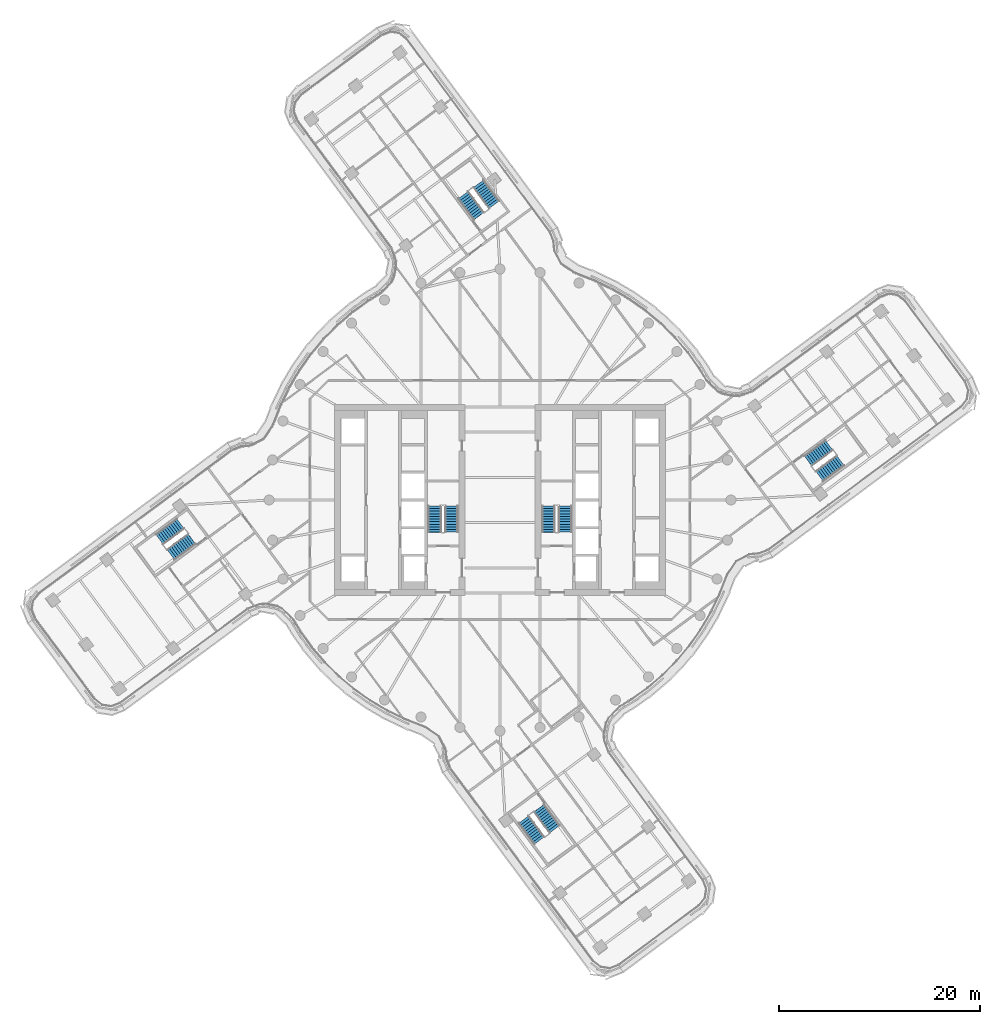
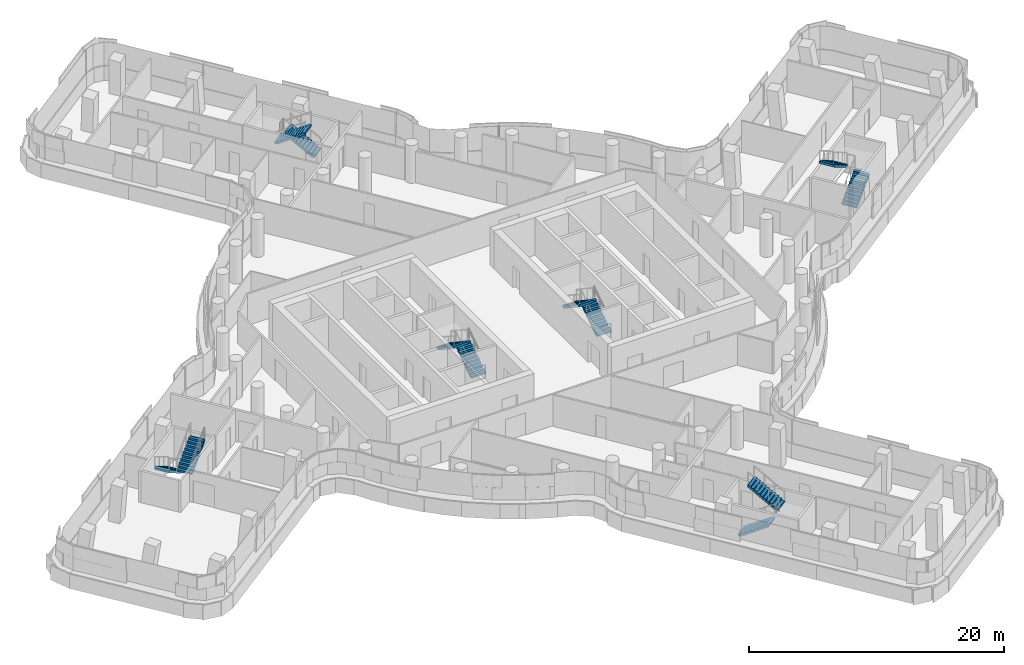
# One storey, part 25 of 32: 12 stair flights, 6 elements without a shape of their own.
"""IFC4 building model written with IfcOpenShell, lengths in metres."""

from ifc_helpers import new_model, si_unit, direction, frame, origin, place, context, subcontext, project, spatial, polyline, outline, extrude, material, type_object, element, aggregate, save


model = new_model("IFC4")

# Units and contexts
model_context = context("Model", 3, precision=1e-05, world=origin(), true_north=direction((0.0, 1.0)))
body_context = subcontext(model_context, "Body", "Model", "MODEL_VIEW")
ifc_project = project(units=[si_unit("LENGTHUNIT", "METRE"), si_unit("AREAUNIT", "SQUARE_METRE"), si_unit("VOLUMEUNIT", "CUBIC_METRE"), si_unit("PLANEANGLEUNIT", "RADIAN"), si_unit("MASSUNIT", "GRAM", prefix="KILO")], contexts=[model_context])

# Site, building, storey
site_placement = place(None, origin())
site = spatial("IfcSite", under=ifc_project, at=site_placement, CompositionType="ELEMENT")
building_placement = place(site_placement, origin())
building = spatial("IfcBuilding", under=site, at=building_placement, Name="Tamarind Cross Interchange Tower", CompositionType="ELEMENT")
storey_placement = place(building_placement, frame((0.0, 0.0, 166.75)))
storey = spatial("IfcBuildingStorey", under=building, at=storey_placement, Name="L41", CompositionType="ELEMENT", Elevation=166.75)

# Stair, stair flights
ifc_material_1 = material(Name="Exit stair")
stair_type = type_object("IfcStairType", Name="Exit stair", PredefinedType="HALF_TURN_STAIR", material=ifc_material_1)
stair_1_placement = place(storey_placement, origin())
stair_1 = element("IfcStair", 1, at=stair_1_placement, inside=storey, type_object=stair_type, Name="L41 exit stair ST1", PredefinedType="HALF_TURN_STAIR")
ifc_material_2 = material(Name="Exit stair flight")
stair_flight_type = type_object("IfcStairFlightType", Name="Exit stair flight", PredefinedType="STRAIGHT", material=ifc_material_2)
stair_flight_1_placement = place(storey_placement, frame((-4.85009765625, -3.199951171875, 0.0), z_axis=(0.0, 0.0, 1.0), x_axis=(0.0, 1.0, 0.0)))
stair_flight_1 = element("IfcStairFlight", 2, at=stair_flight_1_placement, type_object=stair_flight_type, Name="ST1 flight 1", NumberOfRisers=11, NumberOfTreads=10, PredefinedType="STRAIGHT", RiserHeight=0.170454545, TreadLength=0.26, context=body_context, shape_type="SweptSolid", body=[
    extrude(outline(polyline([(0.0, 0.0), (0.0, 0.17041015625), (0.260009765625, 0.17041015625), (0.260009765625, 0.3408203125), (0.52001953125, 0.3408203125), (0.52001953125, 0.511474609375), (0.780029296875, 0.511474609375), (0.780029296875, 0.681884765625), (1.0400390625, 0.681884765625), (1.0400390625, 0.852294921875), (1.300048828125, 0.852294921875), (1.300048828125, 1.022705078125), (1.56005859375, 1.022705078125), (1.56005859375, 1.193115234375), (1.820068359375, 1.193115234375), (1.820068359375, 1.363525390625), (2.080078125, 1.363525390625), (2.080078125, 1.5341796875), (2.340087890625, 1.5341796875), (2.340087890625, 1.70458984375), (2.60009765625, 1.70458984375), (2.60009765625, 1.875), (2.60009765625, 1.525390625), (0.2734375, 0.0), (0.0, 0.0)])), frame((0.0, 0.64990234375, 0.0), z_axis=(0.0, -1.0, 0.0), x_axis=(1.0, 0.0, 0.0)), (0.0, 0.0, 1.0), 1.300048828125),
])
stair_flight_2_placement = place(storey_placement, frame((-6.5, -0.60009765625, 1.875), z_axis=(0.0, 0.0, 1.0), x_axis=(0.0, -1.0, 0.0)))
stair_flight_2 = element("IfcStairFlight", 3, at=stair_flight_2_placement, type_object=stair_flight_type, Name="ST1 flight 2", NumberOfRisers=11, NumberOfTreads=10, PredefinedType="STRAIGHT", RiserHeight=0.170454545, TreadLength=0.26, context=body_context, shape_type="SweptSolid", body=[
    extrude(outline(polyline([(0.0, 0.0), (0.0, 0.17041015625), (0.260009765625, 0.17041015625), (0.260009765625, 0.3408203125), (0.52001953125, 0.3408203125), (0.52001953125, 0.511474609375), (0.780029296875, 0.511474609375), (0.780029296875, 0.681884765625), (1.0400390625, 0.681884765625), (1.0400390625, 0.852294921875), (1.300048828125, 0.852294921875), (1.300048828125, 1.022705078125), (1.56005859375, 1.022705078125), (1.56005859375, 1.193115234375), (1.820068359375, 1.193115234375), (1.820068359375, 1.363525390625), (2.080078125, 1.363525390625), (2.080078125, 1.5341796875), (2.340087890625, 1.5341796875), (2.340087890625, 1.70458984375), (2.60009765625, 1.70458984375), (2.60009765625, 1.7548828125), (2.612060546875, 1.7548828125), (2.612060546875, 1.533203125), (0.2734375, 0.0), (0.0, 0.0)])), frame((0.0, 0.64990234375, 0.0), z_axis=(0.0, -1.0, 0.0), x_axis=(1.0, 0.0, 0.0)), (0.0, 0.0, 1.0), 1.300048828125),
])
aggregate(stair_1, [stair_flight_1, stair_flight_2])

stair_2_placement = place(storey_placement, origin())
stair_2 = element("IfcStair", 4, at=stair_2_placement, inside=storey, type_object=stair_type, Name="L41 exit stair ST2", PredefinedType="HALF_TURN_STAIR")
stair_flight_3_placement = place(storey_placement, frame((6.5, -3.199951171875, 0.0), z_axis=(0.0, 0.0, 1.0), x_axis=(0.0, 1.0, 0.0)))
stair_flight_3 = element("IfcStairFlight", 5, at=stair_flight_3_placement, type_object=stair_flight_type, Name="ST2 flight 1", NumberOfRisers=11, NumberOfTreads=10, PredefinedType="STRAIGHT", RiserHeight=0.170454545, TreadLength=0.26, context=body_context, shape_type="SweptSolid", body=[
    extrude(outline(polyline([(0.0, 0.0), (0.0, 0.17041015625), (0.260009765625, 0.17041015625), (0.260009765625, 0.3408203125), (0.52001953125, 0.3408203125), (0.52001953125, 0.511474609375), (0.780029296875, 0.511474609375), (0.780029296875, 0.681884765625), (1.0400390625, 0.681884765625), (1.0400390625, 0.852294921875), (1.300048828125, 0.852294921875), (1.300048828125, 1.022705078125), (1.56005859375, 1.022705078125), (1.56005859375, 1.193115234375), (1.820068359375, 1.193115234375), (1.820068359375, 1.363525390625), (2.080078125, 1.363525390625), (2.080078125, 1.5341796875), (2.340087890625, 1.5341796875), (2.340087890625, 1.70458984375), (2.60009765625, 1.70458984375), (2.60009765625, 1.875), (2.60009765625, 1.525390625), (0.2734375, 0.0), (0.0, 0.0)])), frame((0.0, 0.64990234375, 0.0), z_axis=(0.0, -1.0, 0.0), x_axis=(1.0, 0.0, 0.0)), (0.0, 0.0, 1.0), 1.300048828125),
])
stair_flight_4_placement = place(storey_placement, frame((4.85009765625, -0.60009765625, 1.875), z_axis=(0.0, 0.0, 1.0), x_axis=(0.0, -1.0, 0.0)))
stair_flight_4 = element("IfcStairFlight", 6, at=stair_flight_4_placement, type_object=stair_flight_type, Name="ST2 flight 2", NumberOfRisers=11, NumberOfTreads=10, PredefinedType="STRAIGHT", RiserHeight=0.170454545, TreadLength=0.26, context=body_context, shape_type="SweptSolid", body=[
    extrude(outline(polyline([(0.0, 0.0), (0.0, 0.17041015625), (0.260009765625, 0.17041015625), (0.260009765625, 0.3408203125), (0.52001953125, 0.3408203125), (0.52001953125, 0.511474609375), (0.780029296875, 0.511474609375), (0.780029296875, 0.681884765625), (1.0400390625, 0.681884765625), (1.0400390625, 0.852294921875), (1.300048828125, 0.852294921875), (1.300048828125, 1.022705078125), (1.56005859375, 1.022705078125), (1.56005859375, 1.193115234375), (1.820068359375, 1.193115234375), (1.820068359375, 1.363525390625), (2.080078125, 1.363525390625), (2.080078125, 1.5341796875), (2.340087890625, 1.5341796875), (2.340087890625, 1.70458984375), (2.60009765625, 1.70458984375), (2.60009765625, 1.7548828125), (2.612060546875, 1.7548828125), (2.612060546875, 1.533203125), (0.2734375, 0.0), (0.0, 0.0)])), frame((0.0, 0.64990234375, 0.0), z_axis=(0.0, -1.0, 0.0), x_axis=(1.0, 0.0, 0.0)), (0.0, 0.0, 1.0), 1.300048828125),
])
aggregate(stair_2, [stair_flight_3, stair_flight_4])

stair_3_placement = place(storey_placement, origin())
stair_3 = element("IfcStair", 7, at=stair_3_placement, inside=storey, type_object=stair_type, Name="L41 exit stair ST3", PredefinedType="HALF_TURN_STAIR")
stair_flight_5_placement = place(storey_placement, frame((31.822509765625, 2.3681640625, 0.0), z_axis=(0.0, 0.0, 1.0), x_axis=(0.803150344752, 0.595776404136, 0.0)))
stair_flight_5 = element("IfcStairFlight", 8, at=stair_flight_5_placement, type_object=stair_flight_type, Name="ST3 flight 1", NumberOfRisers=11, NumberOfTreads=10, PredefinedType="STRAIGHT", RiserHeight=0.170454545, TreadLength=0.26, context=body_context, shape_type="SweptSolid", body=[
    extrude(outline(polyline([(0.0, 0.0), (0.0, 0.17041015625), (0.260009765625, 0.17041015625), (0.260009765625, 0.3408203125), (0.52001953125, 0.3408203125), (0.52001953125, 0.511474609375), (0.780029296875, 0.511474609375), (0.780029296875, 0.681884765625), (1.0400390625, 0.681884765625), (1.0400390625, 0.852294921875), (1.300048828125, 0.852294921875), (1.300048828125, 1.022705078125), (1.56005859375, 1.022705078125), (1.56005859375, 1.193115234375), (1.820068359375, 1.193115234375), (1.820068359375, 1.363525390625), (2.080078125, 1.363525390625), (2.080078125, 1.5341796875), (2.340087890625, 1.5341796875), (2.340087890625, 1.70458984375), (2.60009765625, 1.70458984375), (2.60009765625, 1.875), (2.60009765625, 1.525390625), (0.2734375, 0.0), (0.0, 0.0)])), frame((0.0, 0.64990234375, 0.0), z_axis=(0.0, -1.0, 0.0), x_axis=(1.0, 0.0, 0.0)), (0.0, 0.0, 1.0), 1.300048828125),
])
stair_flight_6_placement = place(storey_placement, frame((32.77880859375, 5.443359375, 1.875), z_axis=(0.0, 0.0, 1.0), x_axis=(-0.803150344752, -0.595776404136, 0.0)))
stair_flight_6 = element("IfcStairFlight", 9, at=stair_flight_6_placement, type_object=stair_flight_type, Name="ST3 flight 2", NumberOfRisers=11, NumberOfTreads=10, PredefinedType="STRAIGHT", RiserHeight=0.170454545, TreadLength=0.26, context=body_context, shape_type="SweptSolid", body=[
    extrude(outline(polyline([(0.0, 0.0), (0.0, 0.17041015625), (0.260009765625, 0.17041015625), (0.260009765625, 0.3408203125), (0.52001953125, 0.3408203125), (0.52001953125, 0.511474609375), (0.780029296875, 0.511474609375), (0.780029296875, 0.681884765625), (1.0400390625, 0.681884765625), (1.0400390625, 0.852294921875), (1.300048828125, 0.852294921875), (1.300048828125, 1.022705078125), (1.56005859375, 1.022705078125), (1.56005859375, 1.193115234375), (1.820068359375, 1.193115234375), (1.820068359375, 1.363525390625), (2.080078125, 1.363525390625), (2.080078125, 1.5341796875), (2.340087890625, 1.5341796875), (2.340087890625, 1.70458984375), (2.60009765625, 1.70458984375), (2.60009765625, 1.7548828125), (2.612060546875, 1.7548828125), (2.612060546875, 1.533203125), (0.2734375, 0.0), (0.0, 0.0)])), frame((0.0, 0.64990234375, 0.0), z_axis=(0.0, -1.0, 0.0), x_axis=(1.0, 0.0, 0.0)), (0.0, 0.0, 1.0), 1.300048828125),
])
aggregate(stair_3, [stair_flight_5, stair_flight_6])

stair_4_placement = place(storey_placement, origin())
stair_4 = element("IfcStair", 10, at=stair_4_placement, inside=storey, type_object=stair_type, Name="L41 exit stair ST4", PredefinedType="HALF_TURN_STAIR")
stair_flight_7_placement = place(storey_placement, frame((-0.5810546875, 29.4130859375, 0.0), z_axis=(0.0, 0.0, 1.0), x_axis=(-0.595776404136, 0.803150344752, 0.0)))
stair_flight_7 = element("IfcStairFlight", 11, at=stair_flight_7_placement, type_object=stair_flight_type, Name="ST4 flight 1", NumberOfRisers=11, NumberOfTreads=10, PredefinedType="STRAIGHT", RiserHeight=0.170454545, TreadLength=0.26, context=body_context, shape_type="SweptSolid", body=[
    extrude(outline(polyline([(0.0, 0.0), (0.0, 0.17041015625), (0.260009765625, 0.17041015625), (0.260009765625, 0.3408203125), (0.52001953125, 0.3408203125), (0.52001953125, 0.511474609375), (0.780029296875, 0.511474609375), (0.780029296875, 0.681884765625), (1.0400390625, 0.681884765625), (1.0400390625, 0.852294921875), (1.300048828125, 0.852294921875), (1.300048828125, 1.022705078125), (1.56005859375, 1.022705078125), (1.56005859375, 1.193115234375), (1.820068359375, 1.193115234375), (1.820068359375, 1.363525390625), (2.080078125, 1.363525390625), (2.080078125, 1.5341796875), (2.340087890625, 1.5341796875), (2.340087890625, 1.70458984375), (2.60009765625, 1.70458984375), (2.60009765625, 1.875), (2.60009765625, 1.525390625), (0.2734375, 0.0), (0.0, 0.0)])), frame((0.0, 0.64990234375, 0.0), z_axis=(0.0, -1.0, 0.0), x_axis=(1.0, 0.0, 0.0)), (0.0, 0.0, 1.0), 1.300048828125),
])
stair_flight_8_placement = place(storey_placement, frame((-3.656005859375, 30.369384765625, 1.875), z_axis=(0.0, 0.0, 1.0), x_axis=(0.595776404136, -0.803150344752, 0.0)))
stair_flight_8 = element("IfcStairFlight", 12, at=stair_flight_8_placement, type_object=stair_flight_type, Name="ST4 flight 2", NumberOfRisers=11, NumberOfTreads=10, PredefinedType="STRAIGHT", RiserHeight=0.170454545, TreadLength=0.26, context=body_context, shape_type="SweptSolid", body=[
    extrude(outline(polyline([(0.0, 0.0), (0.0, 0.17041015625), (0.260009765625, 0.17041015625), (0.260009765625, 0.3408203125), (0.52001953125, 0.3408203125), (0.52001953125, 0.511474609375), (0.780029296875, 0.511474609375), (0.780029296875, 0.681884765625), (1.0400390625, 0.681884765625), (1.0400390625, 0.852294921875), (1.300048828125, 0.852294921875), (1.300048828125, 1.022705078125), (1.56005859375, 1.022705078125), (1.56005859375, 1.193115234375), (1.820068359375, 1.193115234375), (1.820068359375, 1.363525390625), (2.080078125, 1.363525390625), (2.080078125, 1.5341796875), (2.340087890625, 1.5341796875), (2.340087890625, 1.70458984375), (2.60009765625, 1.70458984375), (2.60009765625, 1.7548828125), (2.612060546875, 1.7548828125), (2.612060546875, 1.533203125), (0.2734375, 0.0), (0.0, 0.0)])), frame((0.0, 0.64990234375, 0.0), z_axis=(0.0, -1.0, 0.0), x_axis=(1.0, 0.0, 0.0)), (0.0, 0.0, 1.0), 1.300048828125),
])
aggregate(stair_4, [stair_flight_7, stair_flight_8])

stair_5_placement = place(storey_placement, origin())
stair_5 = element("IfcStair", 13, at=stair_5_placement, inside=storey, type_object=stair_type, Name="L41 exit stair ST5", PredefinedType="HALF_TURN_STAIR")
stair_flight_9_placement = place(storey_placement, frame((-31.822509765625, -2.3681640625, 0.0), z_axis=(0.0, 0.0, 1.0), x_axis=(-0.803150344752, -0.595776404136, 0.0)))
stair_flight_9 = element("IfcStairFlight", 14, at=stair_flight_9_placement, type_object=stair_flight_type, Name="ST5 flight 1", NumberOfRisers=11, NumberOfTreads=10, PredefinedType="STRAIGHT", RiserHeight=0.170454545, TreadLength=0.26, context=body_context, shape_type="SweptSolid", body=[
    extrude(outline(polyline([(0.0, 0.0), (0.0, 0.17041015625), (0.260009765625, 0.17041015625), (0.260009765625, 0.3408203125), (0.52001953125, 0.3408203125), (0.52001953125, 0.511474609375), (0.780029296875, 0.511474609375), (0.780029296875, 0.681884765625), (1.0400390625, 0.681884765625), (1.0400390625, 0.852294921875), (1.300048828125, 0.852294921875), (1.300048828125, 1.022705078125), (1.56005859375, 1.022705078125), (1.56005859375, 1.193115234375), (1.820068359375, 1.193115234375), (1.820068359375, 1.363525390625), (2.080078125, 1.363525390625), (2.080078125, 1.5341796875), (2.340087890625, 1.5341796875), (2.340087890625, 1.70458984375), (2.60009765625, 1.70458984375), (2.60009765625, 1.875), (2.60009765625, 1.525390625), (0.2734375, 0.0), (0.0, 0.0)])), frame((0.0, 0.64990234375, 0.0), z_axis=(0.0, -1.0, 0.0), x_axis=(1.0, 0.0, 0.0)), (0.0, 0.0, 1.0), 1.300048828125),
])
stair_flight_10_placement = place(storey_placement, frame((-32.77880859375, -5.443359375, 1.875), z_axis=(0.0, 0.0, 1.0), x_axis=(0.803150344752, 0.595776404136, 0.0)))
stair_flight_10 = element("IfcStairFlight", 15, at=stair_flight_10_placement, type_object=stair_flight_type, Name="ST5 flight 2", NumberOfRisers=11, NumberOfTreads=10, PredefinedType="STRAIGHT", RiserHeight=0.170454545, TreadLength=0.26, context=body_context, shape_type="SweptSolid", body=[
    extrude(outline(polyline([(0.0, 0.0), (0.0, 0.17041015625), (0.260009765625, 0.17041015625), (0.260009765625, 0.3408203125), (0.52001953125, 0.3408203125), (0.52001953125, 0.511474609375), (0.780029296875, 0.511474609375), (0.780029296875, 0.681884765625), (1.0400390625, 0.681884765625), (1.0400390625, 0.852294921875), (1.300048828125, 0.852294921875), (1.300048828125, 1.022705078125), (1.56005859375, 1.022705078125), (1.56005859375, 1.193115234375), (1.820068359375, 1.193115234375), (1.820068359375, 1.363525390625), (2.080078125, 1.363525390625), (2.080078125, 1.5341796875), (2.340087890625, 1.5341796875), (2.340087890625, 1.70458984375), (2.60009765625, 1.70458984375), (2.60009765625, 1.7548828125), (2.612060546875, 1.7548828125), (2.612060546875, 1.533203125), (0.2734375, 0.0), (0.0, 0.0)])), frame((0.0, 0.64990234375, 0.0), z_axis=(0.0, -1.0, 0.0), x_axis=(1.0, 0.0, 0.0)), (0.0, 0.0, 1.0), 1.300048828125),
])
aggregate(stair_5, [stair_flight_9, stair_flight_10])

stair_6_placement = place(storey_placement, origin())
stair_6 = element("IfcStair", 16, at=stair_6_placement, inside=storey, type_object=stair_type, Name="L41 exit stair ST6", PredefinedType="HALF_TURN_STAIR")
stair_flight_11_placement = place(storey_placement, frame((2.3681640625, -31.822509765625, 0.0), z_axis=(0.0, 0.0, 1.0), x_axis=(0.595776404136, -0.803150344752, 0.0)))
stair_flight_11 = element("IfcStairFlight", 17, at=stair_flight_11_placement, type_object=stair_flight_type, Name="ST6 flight 1", NumberOfRisers=11, NumberOfTreads=10, PredefinedType="STRAIGHT", RiserHeight=0.170454545, TreadLength=0.26, context=body_context, shape_type="SweptSolid", body=[
    extrude(outline(polyline([(0.0, 0.0), (0.0, 0.17041015625), (0.260009765625, 0.17041015625), (0.260009765625, 0.3408203125), (0.52001953125, 0.3408203125), (0.52001953125, 0.511474609375), (0.780029296875, 0.511474609375), (0.780029296875, 0.681884765625), (1.0400390625, 0.681884765625), (1.0400390625, 0.852294921875), (1.300048828125, 0.852294921875), (1.300048828125, 1.022705078125), (1.56005859375, 1.022705078125), (1.56005859375, 1.193115234375), (1.820068359375, 1.193115234375), (1.820068359375, 1.363525390625), (2.080078125, 1.363525390625), (2.080078125, 1.5341796875), (2.340087890625, 1.5341796875), (2.340087890625, 1.70458984375), (2.60009765625, 1.70458984375), (2.60009765625, 1.875), (2.60009765625, 1.525390625), (0.2734375, 0.0), (0.0, 0.0)])), frame((0.0, 0.64990234375, 0.0), z_axis=(0.0, -1.0, 0.0), x_axis=(1.0, 0.0, 0.0)), (0.0, 0.0, 1.0), 1.300048828125),
])
stair_flight_12_placement = place(storey_placement, frame((5.443359375, -32.77880859375, 1.875), z_axis=(0.0, 0.0, 1.0), x_axis=(-0.595776404136, 0.803150344752, 0.0)))
stair_flight_12 = element("IfcStairFlight", 18, at=stair_flight_12_placement, type_object=stair_flight_type, Name="ST6 flight 2", NumberOfRisers=11, NumberOfTreads=10, PredefinedType="STRAIGHT", RiserHeight=0.170454545, TreadLength=0.26, context=body_context, shape_type="SweptSolid", body=[
    extrude(outline(polyline([(0.0, 0.0), (0.0, 0.17041015625), (0.260009765625, 0.17041015625), (0.260009765625, 0.3408203125), (0.52001953125, 0.3408203125), (0.52001953125, 0.511474609375), (0.780029296875, 0.511474609375), (0.780029296875, 0.681884765625), (1.0400390625, 0.681884765625), (1.0400390625, 0.852294921875), (1.300048828125, 0.852294921875), (1.300048828125, 1.022705078125), (1.56005859375, 1.022705078125), (1.56005859375, 1.193115234375), (1.820068359375, 1.193115234375), (1.820068359375, 1.363525390625), (2.080078125, 1.363525390625), (2.080078125, 1.5341796875), (2.340087890625, 1.5341796875), (2.340087890625, 1.70458984375), (2.60009765625, 1.70458984375), (2.60009765625, 1.7548828125), (2.612060546875, 1.7548828125), (2.612060546875, 1.533203125), (0.2734375, 0.0), (0.0, 0.0)])), frame((0.0, 0.64990234375, 0.0), z_axis=(0.0, -1.0, 0.0), x_axis=(1.0, 0.0, 0.0)), (0.0, 0.0, 1.0), 1.300048828125),
])
aggregate(stair_6, [stair_flight_11, stair_flight_12])

save(model, "model.ifc")
